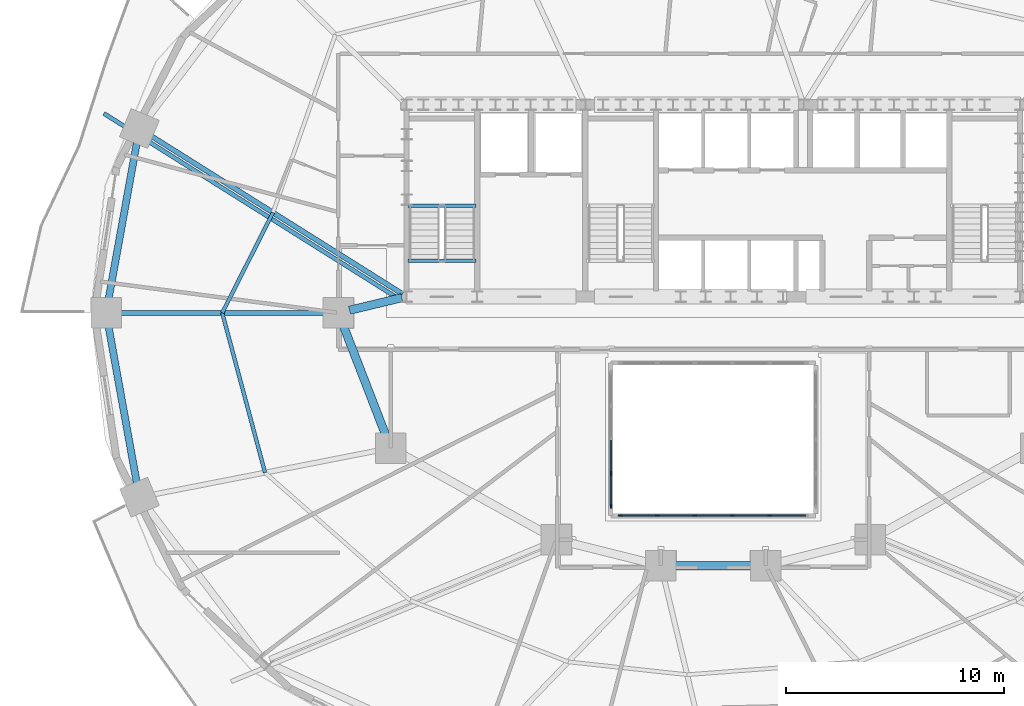
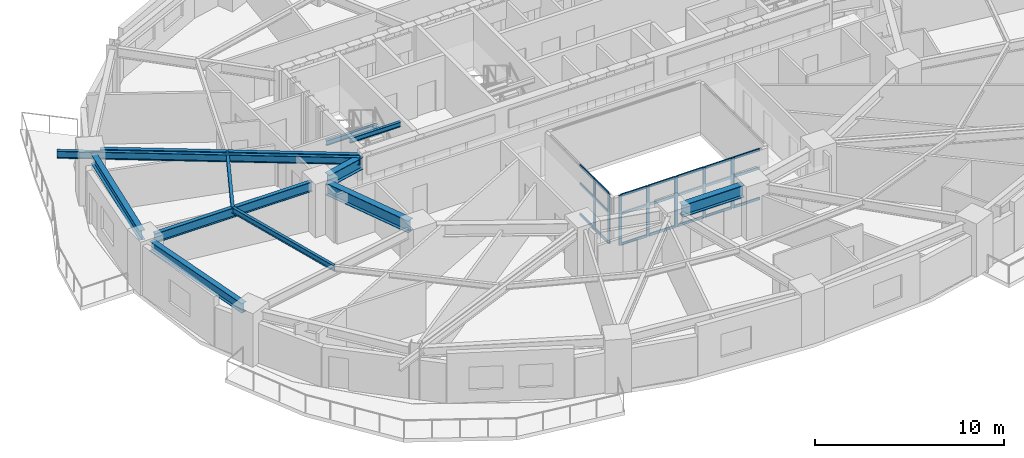
# One storey, part 3 of 15: 28 members, 12 beams, 2 elements without a shape of their own.
"""IFC4 building model written with IfcOpenShell, lengths in metres."""

from ifc_helpers import new_model, si_unit, direction, frame, origin, origin_2d, place, context, subcontext, project, spatial, rectangle, i_section, extrude, material, material_profile, profile_set, type_object, element, aggregate, save


model = new_model("IFC4")

# Units and contexts
model_context = context("Model", 3, precision=1e-05, world=origin(), true_north=direction((0.0, 1.0)))
body_context = subcontext(model_context, "Body", "Model", "MODEL_VIEW")
ifc_project = project(units=[si_unit("LENGTHUNIT", "METRE"), si_unit("AREAUNIT", "SQUARE_METRE"), si_unit("VOLUMEUNIT", "CUBIC_METRE"), si_unit("PLANEANGLEUNIT", "RADIAN"), si_unit("MASSUNIT", "GRAM", prefix="KILO")], contexts=[model_context])

# Site, building, storey
site_placement = place(None, origin())
site = spatial("IfcSite", under=ifc_project, at=site_placement, CompositionType="ELEMENT")
building_placement = place(site_placement, origin())
building = spatial("IfcBuilding", under=site, at=building_placement, Name="Haldorwick Loom Tower", CompositionType="ELEMENT")
storey_placement = place(building_placement, frame((0.0, 0.0, 81.800048828125)))
storey = spatial("IfcBuildingStorey", under=building, at=storey_placement, Name="L21", CompositionType="ELEMENT", Elevation=81.800048828125)

# Curtain wall, members
ifc_material_1 = material(Name="Thermally Broken Anodized Aluminium Curtain Wall Framing", Category="aluminium")
curtain_wall_type = type_object("IfcCurtainWallType", Name="ARC-CW-03", PredefinedType="NOTDEFINED", material=ifc_material_1)
curtain_wall_1_placement = place(storey_placement, origin())
curtain_wall_1 = element("IfcCurtainWall", 1, at=curtain_wall_1_placement, inside=storey, type_object=curtain_wall_type, Name="L21 Atrium Glazed Screen S", PredefinedType="NOTDEFINED")
ifc_material_profile_1 = material_profile(ifc_material_1, rectangle(XDim=0.06591796875, YDim=0.18505859375, at=origin_2d()), Name="ALU_MUL_66X185", Category="aluminium")
ifc_profile_set_1 = profile_set([ifc_material_profile_1], Name="Thermally Broken Anodized Aluminium Curtain Wall Framing")
member_type_1 = type_object("IfcMemberType", Name="ARC-CWM-03", PredefinedType="MULLION", material=ifc_profile_set_1)
member_1_placement = place(storey_placement, frame((38.580078125, 16.699951171875, 0.0), z_axis=(0.0, 0.0, 1.0), x_axis=(0.0, -1.0, 0.0)))
member_1 = element("IfcMember", 2, at=member_1_placement, type_object=member_type_1, Name="CW-03 mullion 2", PredefinedType="MULLION", context=body_context, shape_type="SweptSolid", body=[
    extrude(rectangle(XDim=0.06591796875, YDim=0.18505859375, at=origin_2d()), origin(), (0.0, 0.0, 1.0), 3.2099609375),
])
member_2_placement = place(storey_placement, frame((36.860107421875, 16.699951171875, 0.0), z_axis=(0.0, 0.0, 1.0), x_axis=(0.0, -1.0, 0.0)))
member_2 = element("IfcMember", 3, at=member_2_placement, type_object=member_type_1, Name="CW-03 mullion 3", PredefinedType="MULLION", context=body_context, shape_type="SweptSolid", body=[
    extrude(rectangle(XDim=0.06591796875, YDim=0.18505859375, at=origin_2d()), origin(), (0.0, 0.0, 1.0), 3.2099609375),
])
member_3_placement = place(storey_placement, frame((35.139892578125, 16.699951171875, 0.0), z_axis=(0.0, 0.0, 1.0), x_axis=(0.0, -1.0, 0.0)))
member_3 = element("IfcMember", 4, at=member_3_placement, type_object=member_type_1, Name="CW-03 mullion 4", PredefinedType="MULLION", context=body_context, shape_type="SweptSolid", body=[
    extrude(rectangle(XDim=0.06591796875, YDim=0.18505859375, at=origin_2d()), origin(), (0.0, 0.0, 1.0), 3.2099609375),
])
member_4_placement = place(storey_placement, frame((33.419921875, 16.699951171875, 0.0), z_axis=(0.0, 0.0, 1.0), x_axis=(0.0, -1.0, 0.0)))
member_4 = element("IfcMember", 5, at=member_4_placement, type_object=member_type_1, Name="CW-03 mullion 5", PredefinedType="MULLION", context=body_context, shape_type="SweptSolid", body=[
    extrude(rectangle(XDim=0.06591796875, YDim=0.18505859375, at=origin_2d()), origin(), (0.0, 0.0, 1.0), 3.2099609375),
])
member_5_placement = place(storey_placement, frame((31.73291015625, 16.699951171875, 0.0), z_axis=(0.0, 0.0, 1.0), x_axis=(0.0, -1.0, 0.0)))
member_5 = element("IfcMember", 6, at=member_5_placement, type_object=member_type_1, Name="CW-03 mullion 6", PredefinedType="MULLION", context=body_context, shape_type="SweptSolid", body=[
    extrude(rectangle(XDim=0.06591796875, YDim=0.18505859375, at=origin_2d()), origin(), (0.0, 0.0, 1.0), 3.2099609375),
])

curtain_wall_2_placement = place(storey_placement, origin())
curtain_wall_2 = element("IfcCurtainWall", 7, at=curtain_wall_2_placement, inside=storey, type_object=curtain_wall_type, Name="L21 Atrium Glazed Screen W", PredefinedType="NOTDEFINED")
member_6_placement = place(storey_placement, frame((31.300048828125, 17.133056640625, 0.0), z_axis=(0.0, 0.0, 1.0), x_axis=(-1.0, 0.0, 0.0)))
member_6 = element("IfcMember", 8, at=member_6_placement, type_object=member_type_1, Name="CW-03 mullion 1", PredefinedType="MULLION", context=body_context, shape_type="SweptSolid", body=[
    extrude(rectangle(XDim=0.06591796875, YDim=0.18505859375, at=origin_2d()), origin(), (0.0, 0.0, 1.0), 3.2099609375),
])
member_7_placement = place(storey_placement, frame((31.300048828125, 18.64990234375, 0.0), z_axis=(0.0, 0.0, 1.0), x_axis=(-1.0, 0.0, 0.0)))
member_7 = element("IfcMember", 9, at=member_7_placement, type_object=member_type_1, Name="CW-03 mullion 2", PredefinedType="MULLION", context=body_context, shape_type="SweptSolid", body=[
    extrude(rectangle(XDim=0.06591796875, YDim=0.18505859375, at=origin_2d()), origin(), (0.0, 0.0, 1.0), 3.2099609375),
])

# Member
ifc_material_profile_2 = material_profile(ifc_material_1, rectangle(XDim=0.06591796875, YDim=0.1650390625, at=origin_2d()), Name="ALU_TRN_66X165", Category="aluminium")
ifc_profile_set_2 = profile_set([ifc_material_profile_2], Name="Thermally Broken Anodized Aluminium Curtain Wall Framing")
member_type_2 = type_object("IfcMemberType", Name="ARC-CWT-03", PredefinedType="USERDEFINED", material=ifc_profile_set_2)
member_8_placement = place(storey_placement, frame((40.23388671875, 16.699951171875, 0.032958984375), z_axis=(-1.0, 0.0, 0.0), x_axis=(0.0, -1.0, 0.0)))
member_8 = element("IfcMember", 10, at=member_8_placement, type_object=member_type_2, Name="CW-03 transom 1.1", ObjectType="TRANSOM", PredefinedType="USERDEFINED", context=body_context, shape_type="SweptSolid", body=[
    extrude(rectangle(XDim=0.06591796875, YDim=0.1650390625, at=origin_2d()), origin(), (0.0, 0.0, 1.0), 1.620849609375),
])

member_9_placement = place(storey_placement, frame((40.23388671875, 16.699951171875, 2.0), z_axis=(-1.0, 0.0, 0.0), x_axis=(0.0, -1.0, 0.0)))
member_9 = element("IfcMember", 11, at=member_9_placement, type_object=member_type_2, Name="CW-03 transom 1.2", ObjectType="TRANSOM", PredefinedType="USERDEFINED", context=body_context, shape_type="SweptSolid", body=[
    extrude(rectangle(XDim=0.06591796875, YDim=0.1650390625, at=origin_2d()), origin(), (0.0, 0.0, 1.0), 1.620849609375),
])

member_10_placement = place(storey_placement, frame((40.23388671875, 16.699951171875, 3.177001953125), z_axis=(-1.0, 0.0, 0.0), x_axis=(0.0, -1.0, 0.0)))
member_10 = element("IfcMember", 12, at=member_10_placement, type_object=member_type_2, Name="CW-03 transom 1.3", ObjectType="TRANSOM", PredefinedType="USERDEFINED", context=body_context, shape_type="SweptSolid", body=[
    extrude(rectangle(XDim=0.06591796875, YDim=0.1650390625, at=origin_2d()), origin(), (0.0, 0.0, 1.0), 1.620849609375),
])

member_11_placement = place(storey_placement, frame((38.547119140625, 16.699951171875, 0.032958984375), z_axis=(-1.0, 0.0, 0.0), x_axis=(0.0, -1.0, 0.0)))
member_11 = element("IfcMember", 13, at=member_11_placement, type_object=member_type_2, Name="CW-03 transom 2.1", ObjectType="TRANSOM", PredefinedType="USERDEFINED", context=body_context, shape_type="SweptSolid", body=[
    extrude(rectangle(XDim=0.06591796875, YDim=0.1650390625, at=origin_2d()), origin(), (0.0, 0.0, 1.0), 1.654052734375),
])

member_12_placement = place(storey_placement, frame((38.547119140625, 16.699951171875, 2.0), z_axis=(-1.0, 0.0, 0.0), x_axis=(0.0, -1.0, 0.0)))
member_12 = element("IfcMember", 14, at=member_12_placement, type_object=member_type_2, Name="CW-03 transom 2.2", ObjectType="TRANSOM", PredefinedType="USERDEFINED", context=body_context, shape_type="SweptSolid", body=[
    extrude(rectangle(XDim=0.06591796875, YDim=0.1650390625, at=origin_2d()), origin(), (0.0, 0.0, 1.0), 1.654052734375),
])

member_13_placement = place(storey_placement, frame((38.547119140625, 16.699951171875, 3.177001953125), z_axis=(-1.0, 0.0, 0.0), x_axis=(0.0, -1.0, 0.0)))
member_13 = element("IfcMember", 15, at=member_13_placement, type_object=member_type_2, Name="CW-03 transom 2.3", ObjectType="TRANSOM", PredefinedType="USERDEFINED", context=body_context, shape_type="SweptSolid", body=[
    extrude(rectangle(XDim=0.06591796875, YDim=0.1650390625, at=origin_2d()), origin(), (0.0, 0.0, 1.0), 1.654052734375),
])

member_14_placement = place(storey_placement, frame((36.826904296875, 16.699951171875, 0.032958984375), z_axis=(-1.0, 0.0, 0.0), x_axis=(0.0, -1.0, 0.0)))
member_14 = element("IfcMember", 16, at=member_14_placement, type_object=member_type_2, Name="CW-03 transom 3.1", ObjectType="TRANSOM", PredefinedType="USERDEFINED", context=body_context, shape_type="SweptSolid", body=[
    extrude(rectangle(XDim=0.06591796875, YDim=0.1650390625, at=origin_2d()), origin(), (0.0, 0.0, 1.0), 1.65380859375),
])

member_15_placement = place(storey_placement, frame((36.826904296875, 16.699951171875, 2.0), z_axis=(-1.0, 0.0, 0.0), x_axis=(0.0, -1.0, 0.0)))
member_15 = element("IfcMember", 17, at=member_15_placement, type_object=member_type_2, Name="CW-03 transom 3.2", ObjectType="TRANSOM", PredefinedType="USERDEFINED", context=body_context, shape_type="SweptSolid", body=[
    extrude(rectangle(XDim=0.06591796875, YDim=0.1650390625, at=origin_2d()), origin(), (0.0, 0.0, 1.0), 1.65380859375),
])

member_16_placement = place(storey_placement, frame((36.826904296875, 16.699951171875, 3.177001953125), z_axis=(-1.0, 0.0, 0.0), x_axis=(0.0, -1.0, 0.0)))
member_16 = element("IfcMember", 18, at=member_16_placement, type_object=member_type_2, Name="CW-03 transom 3.3", ObjectType="TRANSOM", PredefinedType="USERDEFINED", context=body_context, shape_type="SweptSolid", body=[
    extrude(rectangle(XDim=0.06591796875, YDim=0.1650390625, at=origin_2d()), origin(), (0.0, 0.0, 1.0), 1.65380859375),
])

member_17_placement = place(storey_placement, frame((35.10693359375, 16.699951171875, 0.032958984375), z_axis=(-1.0, 0.0, 0.0), x_axis=(0.0, -1.0, 0.0)))
member_17 = element("IfcMember", 19, at=member_17_placement, type_object=member_type_2, Name="CW-03 transom 4.1", ObjectType="TRANSOM", PredefinedType="USERDEFINED", context=body_context, shape_type="SweptSolid", body=[
    extrude(rectangle(XDim=0.06591796875, YDim=0.1650390625, at=origin_2d()), origin(), (0.0, 0.0, 1.0), 1.654052734375),
])

member_18_placement = place(storey_placement, frame((35.10693359375, 16.699951171875, 2.0), z_axis=(-1.0, 0.0, 0.0), x_axis=(0.0, -1.0, 0.0)))
member_18 = element("IfcMember", 20, at=member_18_placement, type_object=member_type_2, Name="CW-03 transom 4.2", ObjectType="TRANSOM", PredefinedType="USERDEFINED", context=body_context, shape_type="SweptSolid", body=[
    extrude(rectangle(XDim=0.06591796875, YDim=0.1650390625, at=origin_2d()), origin(), (0.0, 0.0, 1.0), 1.654052734375),
])

member_19_placement = place(storey_placement, frame((35.10693359375, 16.699951171875, 3.177001953125), z_axis=(-1.0, 0.0, 0.0), x_axis=(0.0, -1.0, 0.0)))
member_19 = element("IfcMember", 21, at=member_19_placement, type_object=member_type_2, Name="CW-03 transom 4.3", ObjectType="TRANSOM", PredefinedType="USERDEFINED", context=body_context, shape_type="SweptSolid", body=[
    extrude(rectangle(XDim=0.06591796875, YDim=0.1650390625, at=origin_2d()), origin(), (0.0, 0.0, 1.0), 1.654052734375),
])

member_20_placement = place(storey_placement, frame((33.386962890625, 16.699951171875, 0.032958984375), z_axis=(-1.0, 0.0, 0.0), x_axis=(0.0, -1.0, 0.0)))
member_20 = element("IfcMember", 22, at=member_20_placement, type_object=member_type_2, Name="CW-03 transom 5.1", ObjectType="TRANSOM", PredefinedType="USERDEFINED", context=body_context, shape_type="SweptSolid", body=[
    extrude(rectangle(XDim=0.06591796875, YDim=0.1650390625, at=origin_2d()), origin(), (0.0, 0.0, 1.0), 1.620849609375),
])

member_21_placement = place(storey_placement, frame((33.386962890625, 16.699951171875, 2.0), z_axis=(-1.0, 0.0, 0.0), x_axis=(0.0, -1.0, 0.0)))
member_21 = element("IfcMember", 23, at=member_21_placement, type_object=member_type_2, Name="CW-03 transom 5.2", ObjectType="TRANSOM", PredefinedType="USERDEFINED", context=body_context, shape_type="SweptSolid", body=[
    extrude(rectangle(XDim=0.06591796875, YDim=0.1650390625, at=origin_2d()), origin(), (0.0, 0.0, 1.0), 1.620849609375),
])

member_22_placement = place(storey_placement, frame((33.386962890625, 16.699951171875, 3.177001953125), z_axis=(-1.0, 0.0, 0.0), x_axis=(0.0, -1.0, 0.0)))
member_22 = element("IfcMember", 24, at=member_22_placement, type_object=member_type_2, Name="CW-03 transom 5.3", ObjectType="TRANSOM", PredefinedType="USERDEFINED", context=body_context, shape_type="SweptSolid", body=[
    extrude(rectangle(XDim=0.06591796875, YDim=0.1650390625, at=origin_2d()), origin(), (0.0, 0.0, 1.0), 1.620849609375),
])

aggregate(curtain_wall_1, [member_1, member_2, member_3, member_4, member_5, member_8, member_9, member_10, member_11, member_12, member_13, member_14, member_15, member_16, member_17, member_18, member_19, member_20, member_21, member_22])

member_23_placement = place(storey_placement, frame((31.300048828125, 17.166015625, 0.032958984375), z_axis=(0.0, 1.0, 0.0), x_axis=(-1.0, 0.0, 0.0)))
member_23 = element("IfcMember", 25, at=member_23_placement, type_object=member_type_2, Name="CW-03 transom 1.1", ObjectType="TRANSOM", PredefinedType="USERDEFINED", context=body_context, shape_type="SweptSolid", body=[
    extrude(rectangle(XDim=0.06591796875, YDim=0.1650390625, at=origin_2d()), origin(), (0.0, 0.0, 1.0), 1.450927734375),
])

member_24_placement = place(storey_placement, frame((31.300048828125, 17.166015625, 2.0), z_axis=(0.0, 1.0, 0.0), x_axis=(-1.0, 0.0, 0.0)))
member_24 = element("IfcMember", 26, at=member_24_placement, type_object=member_type_2, Name="CW-03 transom 1.2", ObjectType="TRANSOM", PredefinedType="USERDEFINED", context=body_context, shape_type="SweptSolid", body=[
    extrude(rectangle(XDim=0.06591796875, YDim=0.1650390625, at=origin_2d()), origin(), (0.0, 0.0, 1.0), 1.450927734375),
])

member_25_placement = place(storey_placement, frame((31.300048828125, 17.166015625, 3.177001953125), z_axis=(0.0, 1.0, 0.0), x_axis=(-1.0, 0.0, 0.0)))
member_25 = element("IfcMember", 27, at=member_25_placement, type_object=member_type_2, Name="CW-03 transom 1.3", ObjectType="TRANSOM", PredefinedType="USERDEFINED", context=body_context, shape_type="SweptSolid", body=[
    extrude(rectangle(XDim=0.06591796875, YDim=0.1650390625, at=origin_2d()), origin(), (0.0, 0.0, 1.0), 1.450927734375),
])

member_26_placement = place(storey_placement, frame((31.300048828125, 18.68310546875, 0.032958984375), z_axis=(0.0, 1.0, 0.0), x_axis=(-1.0, 0.0, 0.0)))
member_26 = element("IfcMember", 28, at=member_26_placement, type_object=member_type_2, Name="CW-03 transom 2.1", ObjectType="TRANSOM", PredefinedType="USERDEFINED", context=body_context, shape_type="SweptSolid", body=[
    extrude(rectangle(XDim=0.06591796875, YDim=0.1650390625, at=origin_2d()), origin(), (0.0, 0.0, 1.0), 1.48388671875),
])

member_27_placement = place(storey_placement, frame((31.300048828125, 18.68310546875, 2.0), z_axis=(0.0, 1.0, 0.0), x_axis=(-1.0, 0.0, 0.0)))
member_27 = element("IfcMember", 29, at=member_27_placement, type_object=member_type_2, Name="CW-03 transom 2.2", ObjectType="TRANSOM", PredefinedType="USERDEFINED", context=body_context, shape_type="SweptSolid", body=[
    extrude(rectangle(XDim=0.06591796875, YDim=0.1650390625, at=origin_2d()), origin(), (0.0, 0.0, 1.0), 1.48388671875),
])

member_28_placement = place(storey_placement, frame((31.300048828125, 18.68310546875, 3.177001953125), z_axis=(0.0, 1.0, 0.0), x_axis=(-1.0, 0.0, 0.0)))
member_28 = element("IfcMember", 30, at=member_28_placement, type_object=member_type_2, Name="CW-03 transom 2.3", ObjectType="TRANSOM", PredefinedType="USERDEFINED", context=body_context, shape_type="SweptSolid", body=[
    extrude(rectangle(XDim=0.06591796875, YDim=0.1650390625, at=origin_2d()), origin(), (0.0, 0.0, 1.0), 1.48388671875),
])

aggregate(curtain_wall_2, [member_6, member_7, member_23, member_24, member_25, member_26, member_27, member_28])

# Beams
ifc_material_2 = material(Name="Steel CSA G40.21 350W", Category="steel")
ifc_material_profile_3 = material_profile(ifc_material_2, i_section(OverallWidth=0.193115234375, OverallDepth=0.466064453125, WebThickness=0.011474609375, FlangeThickness=0.01904296875, at=origin_2d()), Name="W460X97", Category="steel")
ifc_profile_set_3 = profile_set([ifc_material_profile_3], Name="Steel CSA G40.21 350W")
beam_type_1 = type_object("IfcBeamType", Name="STR-BM-BAL460", PredefinedType="BEAM", material=ifc_profile_set_3)
beam_1_placement = place(storey_placement, frame((21.590576171875, 26.6328125, 2.97705078125), z_axis=(-0.846621037802, 0.532196221662, 0.0), x_axis=(-0.532196221662, -0.846621037802, 0.0)))
element("IfcBeam", 31, at=beam_1_placement, inside=storey, type_object=beam_type_1, Name="L21 Continuous Back-Spanned Balcony Beam 3", PredefinedType="BEAM", context=body_context, shape_type="SweptSolid", body=[
    extrude(i_section(OverallWidth=0.193115234375, OverallDepth=0.466064453125, WebThickness=0.011474609375, FlangeThickness=0.01904296875, at=origin_2d()), origin(), (0.0, 0.0, 1.0), 16.0068359375),
])
ifc_material_profile_4 = material_profile(ifc_material_2, i_section(OverallWidth=0.172119140625, OverallDepth=0.35791015625, WebThickness=0.0078125, FlangeThickness=0.01318359375, at=origin_2d()), Name="W360X57", Category="steel")
ifc_profile_set_4 = profile_set([ifc_material_profile_4], Name="Steel CSA G40.21 350W")
beam_type_2 = type_object("IfcBeamType", Name="STR-BM-J360", PredefinedType="JOIST", material=ifc_profile_set_4)
beam_2_placement = place(storey_placement, frame((15.7998046875, 30.603515625, 3.031005859375), z_axis=(-0.451373231558, -0.892335254169, 0.0), x_axis=(0.892335254169, -0.451373231558, 0.0)))
element("IfcBeam", 32, at=beam_2_placement, inside=storey, type_object=beam_type_2, Name="L21 Mid-Bay Secondary Joist 8", PredefinedType="JOIST", context=body_context, shape_type="SweptSolid", body=[
    extrude(i_section(OverallWidth=0.172119140625, OverallDepth=0.35791015625, WebThickness=0.0078125, FlangeThickness=0.01318359375, at=origin_2d()), origin(), (0.0, 0.0, 1.0), 5.158935546875),
])
beam_3_placement = place(storey_placement, frame((13.47119140625, 26.0, 3.031005859375), z_axis=(0.258810072536, -0.965928230436, 0.0), x_axis=(0.965928230436, 0.258810072536, 0.0)))
element("IfcBeam", 33, at=beam_3_placement, inside=storey, type_object=beam_type_2, Name="L21 Mid-Bay Secondary Joist 9", PredefinedType="JOIST", context=body_context, shape_type="SweptSolid", body=[
    extrude(i_section(OverallWidth=0.172119140625, OverallDepth=0.35791015625, WebThickness=0.0078125, FlangeThickness=0.01318359375, at=origin_2d()), origin(), (0.0, 0.0, 1.0), 7.587158203125),
])
ifc_material_profile_5 = material_profile(ifc_material_2, i_section(OverallWidth=0.324951171875, OverallDepth=0.615966796875, WebThickness=0.013916015625, FlangeThickness=0.021484375, at=origin_2d()), Name="W610X174", Category="steel")
ifc_profile_set_5 = profile_set([ifc_material_profile_5], Name="Steel CSA G40.21 350W")
beam_type_3 = type_object("IfcBeamType", Name="STR-BM-SP610", PredefinedType="SPANDREL", material=ifc_profile_set_5)
for number, where, z_axis, x_axis, name in (
    (34, (9.576904296875, 33.945556640625, 2.90185546875), (-0.177659490888, -0.984092020747, 0.0), (0.984092020747, -0.177659490888, 0.0), "L21 Perimeter Spandrel 8"),
    (35, (8.23486328125, 25.48828125, 2.90185546875), (0.177659490888, -0.984092020747, 0.0), (0.984092020747, 0.177659490888, 0.0), "L21 Perimeter Spandrel 9"),
):
    element("IfcBeam", number, at=place(storey_placement, frame(where, z_axis=z_axis, x_axis=x_axis)), inside=storey, type_object=beam_type_3, Name=name, PredefinedType="SPANDREL", context=body_context, shape_type="SweptSolid", body=[
        extrude(i_section(OverallWidth=0.324951171875, OverallDepth=0.615966796875, WebThickness=0.013916015625, FlangeThickness=0.021484375, at=origin_2d()), origin(), (0.0, 0.0, 1.0), 7.553955078125),
    ])
ifc_material_profile_6 = material_profile(ifc_material_2, i_section(OverallWidth=0.166015625, OverallDepth=0.31298828125, WebThickness=0.006591796875, FlangeThickness=0.01123046875, at=origin_2d()), Name="W310X45", Category="steel")
ifc_profile_set_6 = profile_set([ifc_material_profile_6], Name="Steel CSA G40.21 350W")
beam_type_4 = type_object("IfcBeamType", Name="STR-BM-STRM", PredefinedType="BEAM", material=ifc_profile_set_6)
for number, where, z_axis, x_axis, name in (
    (36, (21.989990234375, 28.39990234375, 3.053466796875), (1.0, 0.0, 0.0), (0.0, 1.0, 0.0), "L21 Stair ST-01 Landing Edge Trimmer"),
    (37, (21.989990234375, 30.919921875, 1.368408203125), (1.0, 0.0, 0.0), (0.0, 1.0, 0.0), "L21 Stair ST-01 Half-Landing Trimmer 1"),
):
    element("IfcBeam", number, at=place(storey_placement, frame(where, z_axis=z_axis, x_axis=x_axis)), inside=storey, type_object=beam_type_4, Name=name, PredefinedType="BEAM", context=body_context, shape_type="SweptSolid", body=[
        extrude(i_section(OverallWidth=0.166015625, OverallDepth=0.31298828125, WebThickness=0.006591796875, FlangeThickness=0.01123046875, at=origin_2d()), origin(), (0.0, 0.0, 1.0), 3.1201171875),
    ])
ifc_material_profile_7 = material_profile(ifc_material_2, i_section(OverallWidth=0.22998046875, OverallDepth=0.616943359375, WebThickness=0.01318359375, FlangeThickness=0.022216796875, at=origin_2d()), Name="W610X140", Category="steel")
ifc_profile_set_7 = profile_set([ifc_material_profile_7], Name="Steel CSA G40.21 350W")
beam_type_5 = type_object("IfcBeamType", Name="STR-BM-W610B", PredefinedType="BEAM", material=ifc_profile_set_7)
beam_4_placement = place(storey_placement, frame((21.739501953125, 26.86962890625, 2.9013671875), z_axis=(-0.846609551433, 0.532214493811, 0.0), x_axis=(-0.532214493811, -0.846609551433, 0.0)))
element("IfcBeam", 38, at=beam_4_placement, inside=storey, type_object=beam_type_5, Name="L21 Radial Floor Girder 8", PredefinedType="BEAM", context=body_context, shape_type="SweptSolid", body=[
    extrude(i_section(OverallWidth=0.22998046875, OverallDepth=0.616943359375, WebThickness=0.01318359375, FlangeThickness=0.022216796875, at=origin_2d()), origin(), (0.0, 0.0, 1.0), 13.737060546875),
])
beam_5_placement = place(storey_placement, frame((18.280029296875, 26.0, 2.9013671875), z_axis=(-1.0, 0.0, 0.0), x_axis=(0.0, -1.0, 0.0)))
element("IfcBeam", 39, at=beam_5_placement, inside=storey, type_object=beam_type_5, Name="L21 Radial Floor Girder 9", PredefinedType="BEAM", context=body_context, shape_type="SweptSolid", body=[
    extrude(i_section(OverallWidth=0.22998046875, OverallDepth=0.616943359375, WebThickness=0.01318359375, FlangeThickness=0.022216796875, at=origin_2d()), origin(), (0.0, 0.0, 1.0), 9.61767578125),
])
ifc_material_profile_8 = material_profile(ifc_material_2, i_section(OverallWidth=0.381103515625, OverallDepth=0.77294921875, WebThickness=0.0166015625, FlangeThickness=0.027587890625, at=origin_2d()), Name="W760X257", Category="steel")
ifc_profile_set_8 = profile_set([ifc_material_profile_8], Name="Steel CSA G40.21 350W")
beam_type_6 = type_object("IfcBeamType", Name="STR-BM-W760", PredefinedType="BEAM", material=ifc_profile_set_8)
beam_6_placement = place(storey_placement, frame((37.8798828125, 14.39990234375, 2.823486328125), z_axis=(-1.0, 0.0, 0.0), x_axis=(0.0, -1.0, 0.0)))
element("IfcBeam", 40, at=beam_6_placement, inside=storey, type_object=beam_type_6, Name="L21 Inner Ring Girder 5", PredefinedType="BEAM", context=body_context, shape_type="SweptSolid", body=[
    extrude(i_section(OverallWidth=0.381103515625, OverallDepth=0.77294921875, WebThickness=0.0166015625, FlangeThickness=0.027587890625, at=origin_2d()), origin(), (0.0, 0.0, 1.0), 3.759765625),
])
beam_7_placement = place(storey_placement, frame((21.01220703125, 20.284912109375, 2.823486328125), z_axis=(-0.360964792353, 0.93257944363, 0.0), x_axis=(-0.93257944363, -0.360964792353, 0.0)))
element("IfcBeam", 41, at=beam_7_placement, inside=storey, type_object=beam_type_6, Name="L21 Inner Ring Girder 8", PredefinedType="BEAM", context=body_context, shape_type="SweptSolid", body=[
    extrude(i_section(OverallWidth=0.381103515625, OverallDepth=0.77294921875, WebThickness=0.0166015625, FlangeThickness=0.027587890625, at=origin_2d()), origin(), (0.0, 0.0, 1.0), 5.6083984375),
])
beam_8_placement = place(storey_placement, frame((19.3056640625, 26.12109375, 2.823486328125), z_axis=(0.97247055837, 0.233025777764, 0.0), x_axis=(-0.233025777764, 0.97247055837, 0.0)))
element("IfcBeam", 42, at=beam_8_placement, inside=storey, type_object=beam_type_6, Name="L21 Inner Ring Girder 9", PredefinedType="BEAM", context=body_context, shape_type="SweptSolid", body=[
    extrude(i_section(OverallWidth=0.381103515625, OverallDepth=0.77294921875, WebThickness=0.0166015625, FlangeThickness=0.027587890625, at=origin_2d()), origin(), (0.0, 0.0, 1.0), 2.4736328125),
])

save(model, "model.ifc")
